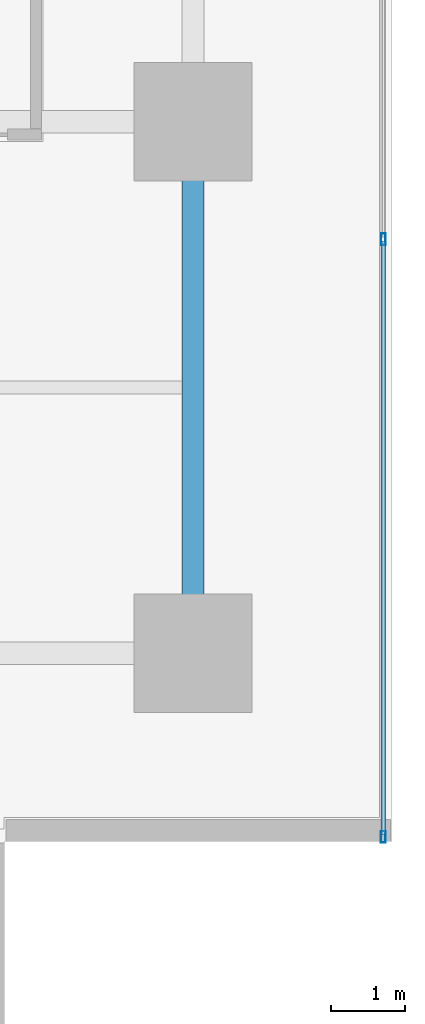
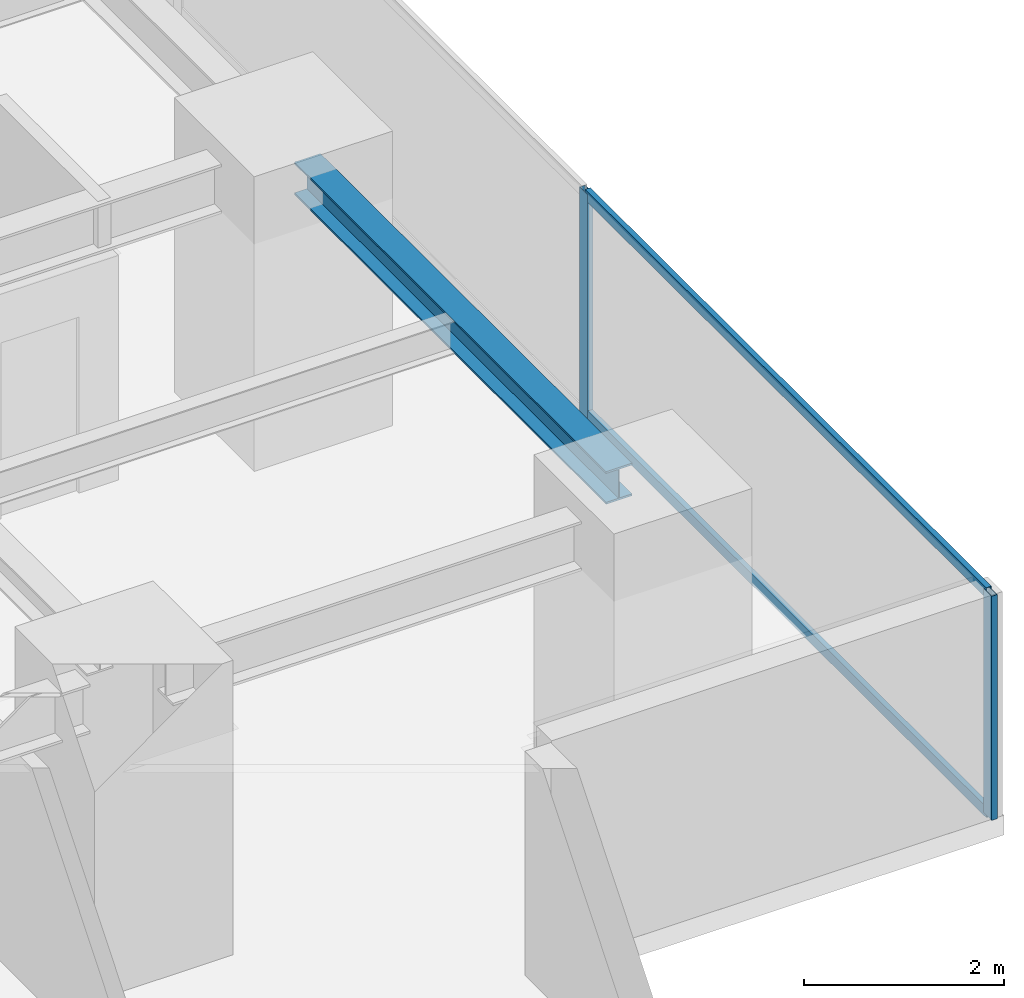
# One storey, part 14 of 37: 4 members, 1 beam, 1 element without a shape of its own.
"""IFC4 building model written with IfcOpenShell, lengths in metres."""

from ifc_helpers import new_model, si_unit, direction, frame, origin, origin_2d, place, context, subcontext, project, spatial, hollow_rectangle, i_section, extrude, source, transform, mapped, material, layer, layer_set, material_profile, profile_set, type_object, element, aggregate, save


model = new_model("IFC4")

# Units and contexts
model_context = context("Model", 3, precision=1e-05, world=origin(), true_north=direction((0.0, 1.0)))
body_context = subcontext(model_context, "Body", "Model", "MODEL_VIEW")
ifc_project = project(units=[si_unit("LENGTHUNIT", "METRE"), si_unit("AREAUNIT", "SQUARE_METRE"), si_unit("VOLUMEUNIT", "CUBIC_METRE"), si_unit("PLANEANGLEUNIT", "RADIAN"), si_unit("MASSUNIT", "GRAM", prefix="KILO")], contexts=[model_context])

# Site, building, storey
site_placement = place(None, origin())
site = spatial("IfcSite", under=ifc_project, at=site_placement, CompositionType="ELEMENT")
building_placement = place(site_placement, origin())
building = spatial("IfcBuilding", under=site, at=building_placement, Name="Sumidabori Civic Tower", CompositionType="ELEMENT")
storey_placement = place(building_placement, frame((0.0, 0.0, 95.60009765625)))
storey = spatial("IfcBuildingStorey", under=building, at=storey_placement, Name="L24", CompositionType="ELEMENT", Elevation=95.60009765625)

# Beam
ifc_material_1 = material(Name="Steel SN490", Category="steel")
ifc_material_profile_1 = material_profile(ifc_material_1, i_section(OverallWidth=0.300048828125, OverallDepth=0.39990234375, WebThickness=0.013427734375, FlangeThickness=0.02392578125, at=origin_2d()), Name="HE 400 B")
ifc_profile_set_1 = profile_set([ifc_material_profile_1], Name="Steel SN490")
beam_type = type_object("IfcBeamType", Name="BM-GIRD-400", PredefinedType="BEAM", material=ifc_profile_set_1)
shared_shape_1 = source(origin(), body_context, "Body", "SweptSolid", [
    extrude(i_section(OverallWidth=0.300048828125, OverallDepth=0.39990234375, WebThickness=0.013427734375, FlangeThickness=0.02392578125, at=origin_2d()), origin(), (0.0, 0.0, 1.0), 6.239990234375),
])
beam_placement = place(storey_placement, frame((22.800048828125, -17.52001953125, 3.159912109375), z_axis=(0.0, 1.0, 0.0), x_axis=(-1.0, 0.0, 0.0)))
element("IfcBeam", 1, at=beam_placement, inside=storey, type_object=beam_type, Name="Primary Girder L24 GY-39", PredefinedType="BEAM", context=body_context, shape_type="MappedRepresentation", body=[
    mapped(shared_shape_1, transform((0.0, 0.0, 0.0), x_axis=(1.0, 0.0, 0.0), y_axis=(0.0, 1.0, 0.0), z_axis=(0.0, 0.0, 1.0), scale=1.0)),
])

# Curtain wall, members
ifc_material_2 = material(Name="Anodised Bronze Aluminium AW-6063-T6", Category="aluminium")
ifc_layer = layer(ifc_material_2, 0.179931640625, Name="Anodised Bronze Aluminium AW-6063-T6")
ifc_layer_set = layer_set([ifc_layer], Name="Anodised Bronze Aluminium AW-6063-T6")
curtain_wall_type = type_object("IfcCurtainWallType", Name="CW-SYS-3", PredefinedType="NOTDEFINED", material=ifc_layer_set)
curtain_wall_placement = place(storey_placement, origin())
curtain_wall = element("IfcCurtainWall", 2, at=curtain_wall_placement, inside=storey, type_object=curtain_wall_type, Name="Curtain Wall CW:L24:R04", PredefinedType="NOTDEFINED")
ifc_material_profile_2 = material_profile(ifc_material_2, hollow_rectangle(XDim=0.06494140625, YDim=0.159912109375, WallThickness=0.0048828125, at=origin_2d()), Name="ALU MULLION 160x65")
ifc_profile_set_2 = profile_set([ifc_material_profile_2], Name="Anodised Bronze Aluminium AW-6063-T6")
member_type_1 = type_object("IfcMemberType", Name="CW-MUL-160", PredefinedType="MULLION", material=ifc_profile_set_2)
shared_shape_2 = source(origin(), body_context, "Body", "SweptSolid", [
    extrude(hollow_rectangle(XDim=0.06494140625, YDim=0.159912109375, WallThickness=0.0048828125, at=origin_2d()), origin(), (0.0, 0.0, 1.0), 2.739990234375),
])
member_1_placement = place(storey_placement, frame((25.3798828125, -20.487548828125, 0.0), z_axis=(0.0, 0.0, 1.0), x_axis=(-1.0, 0.0, 0.0)))
member_1 = element("IfcMember", 3, at=member_1_placement, type_object=member_type_1, Name="CW-3 mullion 1", PredefinedType="MULLION", context=body_context, shape_type="MappedRepresentation", body=[
    mapped(shared_shape_2, transform((0.0, 0.0, 0.0), x_axis=(1.0, 0.0, 0.0), y_axis=(0.0, 1.0, 0.0), z_axis=(0.0, 0.0, 1.0), scale=1.0)),
])
member_2_placement = place(storey_placement, frame((25.3798828125, -12.39208984375, 0.0), z_axis=(0.0, 0.0, 1.0), x_axis=(-1.0, 0.0, 0.0)))
member_2 = element("IfcMember", 4, at=member_2_placement, type_object=member_type_1, Name="CW-3 mullion 2", PredefinedType="MULLION", context=body_context, shape_type="MappedRepresentation", body=[
    mapped(shared_shape_2, transform((0.0, 0.0, 0.0), x_axis=(1.0, 0.0, 0.0), y_axis=(0.0, 1.0, 0.0), z_axis=(0.0, 0.0, 1.0), scale=1.0)),
])
ifc_material_profile_3 = material_profile(ifc_material_2, hollow_rectangle(XDim=0.06005859375, YDim=0.1298828125, WallThickness=0.0048828125, at=origin_2d()), Name="ALU TRANSOM 130x60")
ifc_profile_set_3 = profile_set([ifc_material_profile_3], Name="Anodised Bronze Aluminium AW-6063-T6")
member_type_2 = type_object("IfcMemberType", Name="CW-TRN-130", PredefinedType="USERDEFINED", material=ifc_profile_set_3)
shared_shape_3 = source(origin(), body_context, "Body", "SweptSolid", [
    extrude(hollow_rectangle(XDim=0.06005859375, YDim=0.1298828125, WallThickness=0.0048828125, at=origin_2d()), origin(), (0.0, 0.0, 1.0), 8.030517578125),
])
member_3_placement = place(storey_placement, frame((25.3798828125, -20.455078125, 0.02978515625), z_axis=(0.0, 1.0, 0.0), x_axis=(-1.0, 0.0, 0.0)))
member_3 = element("IfcMember", 5, at=member_3_placement, type_object=member_type_2, Name="CW-3 transom 1.1", ObjectType="TRANSOM", PredefinedType="USERDEFINED", context=body_context, shape_type="MappedRepresentation", body=[
    mapped(shared_shape_3, transform((0.0, 0.0, 0.0), x_axis=(1.0, 0.0, 0.0), y_axis=(0.0, 1.0, 0.0), z_axis=(0.0, 0.0, 1.0), scale=1.0)),
])
member_4_placement = place(storey_placement, frame((25.3798828125, -20.455078125, 2.7099609375), z_axis=(0.0, 1.0, 0.0), x_axis=(-1.0, 0.0, 0.0)))
member_4 = element("IfcMember", 6, at=member_4_placement, type_object=member_type_2, Name="CW-3 transom 1.2", ObjectType="TRANSOM", PredefinedType="USERDEFINED", context=body_context, shape_type="MappedRepresentation", body=[
    mapped(shared_shape_3, transform((0.0, 0.0, 0.0), x_axis=(1.0, 0.0, 0.0), y_axis=(0.0, 1.0, 0.0), z_axis=(0.0, 0.0, 1.0), scale=1.0)),
])
aggregate(curtain_wall, [member_1, member_2, member_3, member_4])

save(model, "model.ifc")
